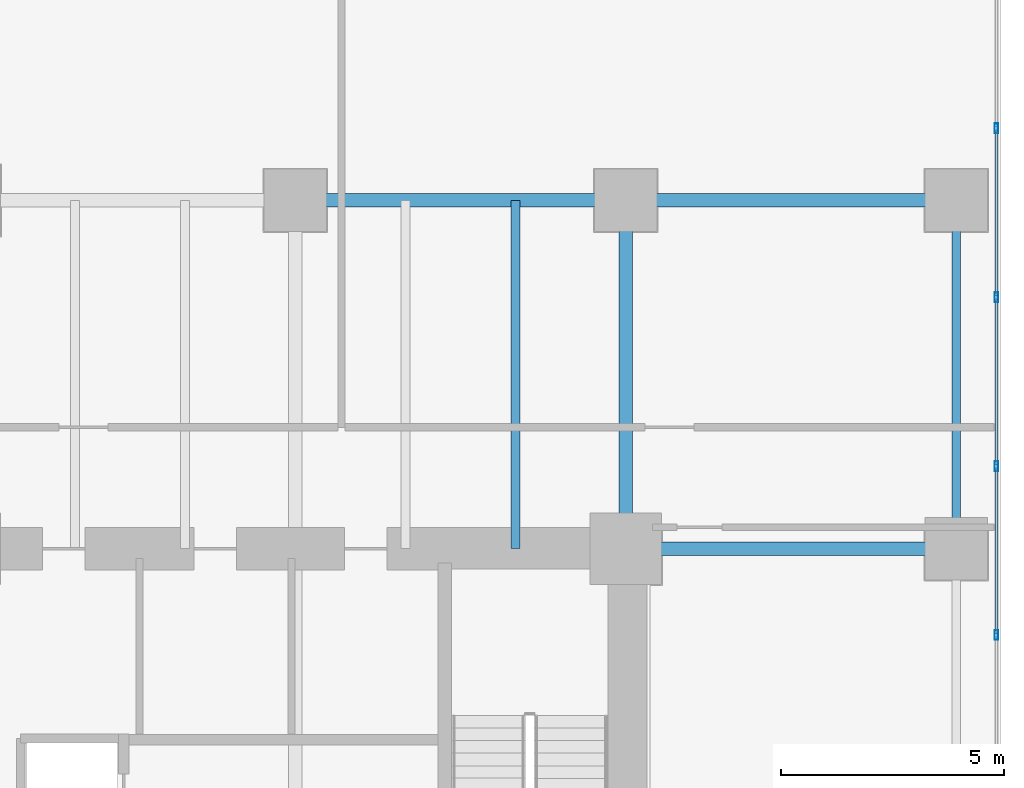
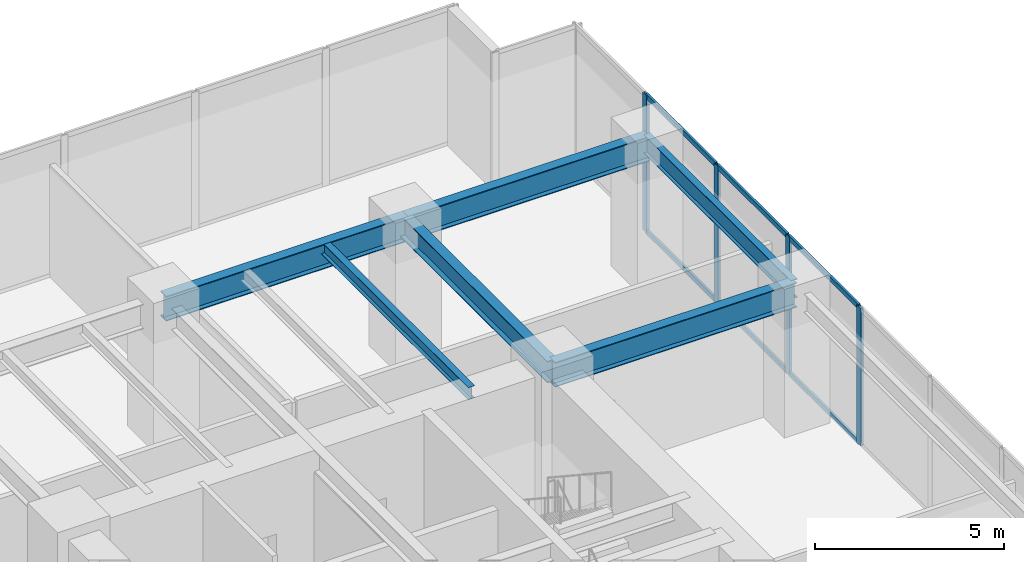
# One storey, part 21 of 33: 10 members, 6 beams, 1 element without a shape of its own.
"""IFC4 building model written with IfcOpenShell, lengths in metres."""

import ifcopenshell
import ifcopenshell.guid

model = None  # the IFC model being written
_history = None  # IfcOwnerHistory: only IFC2X3 demands one
_inside = {}  # id of a spatial element -> (the spatial element, [elements in it])
_under = {}  # id of a project, library or spatial element -> (it, [spatial elements below it])
_declared = {}  # id of a project -> (the project, [libraries it declares])
_typed = {}  # id of a type object -> (the type object, [elements of that type])
_made_of = {}  # id of a material, layer set ... -> (it, [elements and type objects made of it])


def new_model(schema):
    """Start an empty IFC model of exactly this schema.

    Asked for "IFC4X3", IfcOpenShell would pick the latest addendum, in which some entities
    have other attributes; the version numbers below select the first issue.
    IFC2X3 requires an IfcOwnerHistory on every rooted entity: one is made here for all.
    """
    global model, _history
    if schema == "IFC4X3":
        model = ifcopenshell.file(schema_version=(4, 3, 0, 0))
    else:
        model = ifcopenshell.file(schema=schema)
    _inside.clear()
    _under.clear()
    _declared.clear()
    _typed.clear()
    _made_of.clear()
    _history = None
    if model.schema == "IFC2X3":
        org = make("IfcOrganization", Name="unknown")
        user = make(
            "IfcPersonAndOrganization",
            ThePerson=make("IfcPerson", FamilyName="unknown"),
            TheOrganization=org,
        )
        app = make(
            "IfcApplication",
            ApplicationDeveloper=org,
            Version="unknown",
            ApplicationFullName="unknown",
            ApplicationIdentifier="unknown",
        )
        _history = make(
            "IfcOwnerHistory",
            OwningUser=user,
            OwningApplication=app,
            ChangeAction="ADDED",
            CreationDate=0,
        )
    return model


def make(cls, **values):
    """One entity of the class cls with the attributes given. An attribute that is None is left unset."""
    return model.create_entity(
        cls, **{name: value for name, value in values.items() if value is not None}
    )


def rooted(cls, **values):
    """An entity with a GlobalId (a new one), such as an element, a storey or a relation."""
    return make(cls, GlobalId=ifcopenshell.guid.new(), OwnerHistory=_history, **values)


def si_unit(unit_type, name, prefix=None):
    """IfcSIUnit, for example si_unit("LENGTHUNIT", "METRE", prefix="MILLI")."""
    return make("IfcSIUnit", UnitType=unit_type, Prefix=prefix, Name=name)


def assignment(units):
    """IfcUnitAssignment: the units of a project."""
    return None if units is None else make("IfcUnitAssignment", Units=units)


def point(xyz):
    """IfcCartesianPoint."""
    return None if xyz is None else make("IfcCartesianPoint", Coordinates=xyz)


def direction(xyz):
    """IfcDirection."""
    return None if xyz is None else make("IfcDirection", DirectionRatios=xyz)


def frame(location, z_axis=None, x_axis=None):
    """IfcAxis2Placement3D, a coordinate frame: its origin and axes. An axis left out is left unset."""
    return make(
        "IfcAxis2Placement3D",
        Location=point(location),
        Axis=direction(z_axis),
        RefDirection=direction(x_axis),
    )


def frame_2d(location, x_axis=None):
    """IfcAxis2Placement2D, a coordinate frame in the plane: its origin and x axis."""
    return make(
        "IfcAxis2Placement2D", Location=point(location), RefDirection=direction(x_axis)
    )


def origin():
    """The frame at (0, 0, 0) with its axes left unset."""
    return frame((0.0, 0.0, 0.0))


def origin_2d():
    """The frame at (0, 0) in the plane with its x axis left unset."""
    return frame_2d((0.0, 0.0))


def place(relative_to, where):
    """IfcLocalPlacement: puts the frame where relative to a parent placement (None: the world)."""
    return make(
        "IfcLocalPlacement", PlacementRelTo=relative_to, RelativePlacement=where
    )


def context(
    kind, dimensions, precision=None, world=None, true_north=None, identifier=None
):
    """IfcGeometricRepresentationContext, for example the 3D "Model" context."""
    return make(
        "IfcGeometricRepresentationContext",
        ContextIdentifier=identifier,
        ContextType=kind,
        CoordinateSpaceDimension=dimensions,
        Precision=precision,
        WorldCoordinateSystem=world,
        TrueNorth=true_north,
    )


def subcontext(parent, identifier, kind, view, scale=None):
    """IfcGeometricRepresentationSubContext, for example "Body" below "Model"."""
    return make(
        "IfcGeometricRepresentationSubContext",
        ContextIdentifier=identifier,
        ContextType=kind,
        ParentContext=parent,
        TargetScale=scale,
        TargetView=view,
    )


def project(units=None, contexts=None):
    """IfcProject with its units and contexts."""
    return rooted(
        "IfcProject",
        Name="project",
        RepresentationContexts=contexts,
        UnitsInContext=assignment(units),
    )


def spatial(cls, under=None, at=None, **own):
    """A site, building, storey or space (cls), placed at a placement, below another one or the project."""
    s = rooted(cls, ObjectPlacement=at, **own)
    if under is not None:
        _under.setdefault(under.id(), (under, []))[1].append(s)
    return s


def profile(cls, at=None, kind="AREA", **sizes):
    """A parametric profile (cls). Its sizes go by their IFC names, for example OverallWidth=200.0."""
    return make(cls, ProfileType=kind, Position=at, **sizes)


def hollow_rectangle(**sizes):
    """IfcRectangleHollowProfileDef."""
    return profile("IfcRectangleHollowProfileDef", **sizes)


def i_section(**sizes):
    """IfcIShapeProfileDef."""
    return profile("IfcIShapeProfileDef", **sizes)


def extrude(swept, where, along, depth):
    """IfcExtrudedAreaSolid: the profile swept, set in the frame where, extruded along a direction by depth."""
    return make(
        "IfcExtrudedAreaSolid",
        SweptArea=swept,
        Position=where,
        ExtrudedDirection=direction(along),
        Depth=depth,
    )


def shape(context_of_items, identifier, shape_type, items):
    """IfcShapeRepresentation: the items that make up one representation, for example the "Body"."""
    return make(
        "IfcShapeRepresentation",
        ContextOfItems=context_of_items,
        RepresentationIdentifier=identifier,
        RepresentationType=shape_type,
        Items=items,
    )


def source(mapping_origin, context_of_items, identifier, shape_type, items):
    """IfcRepresentationMap: a shape defined once, which mapped items show again and again."""
    return make(
        "IfcRepresentationMap",
        MappingOrigin=mapping_origin,
        MappedRepresentation=shape(context_of_items, identifier, shape_type, items),
    )


def transform(
    local_origin,
    x_axis=None,
    y_axis=None,
    z_axis=None,
    scale=None,
    scale2=None,
    scale3=None,
    uniform=True,
):
    """IfcCartesianTransformationOperator3D, or its non-uniform kind. x_axis, y_axis, z_axis: its Axis1, 2, 3."""
    if uniform:
        return make(
            "IfcCartesianTransformationOperator3D",
            Axis1=direction(x_axis),
            Axis2=direction(y_axis),
            LocalOrigin=point(local_origin),
            Scale=scale,
            Axis3=direction(z_axis),
        )
    return make(
        "IfcCartesianTransformationOperator3DnonUniform",
        Axis1=direction(x_axis),
        Axis2=direction(y_axis),
        LocalOrigin=point(local_origin),
        Scale=scale,
        Axis3=direction(z_axis),
        Scale2=scale2,
        Scale3=scale3,
    )


def mapped(mapping_source, mapping_target):
    """IfcMappedItem: shows the shape of a source again, moved by a transform."""
    return make(
        "IfcMappedItem", MappingSource=mapping_source, MappingTarget=mapping_target
    )


def material(Name=None, Category=None):
    """IfcMaterial."""
    return make("IfcMaterial", Name=Name, Category=Category)


def layer(
    of_material, thickness, ventilated=None, Name=None, Category=None, Priority=None
):
    """IfcMaterialLayer: one layer of a wall or slab, of a material (None: an air gap)."""
    return make(
        "IfcMaterialLayer",
        Material=of_material,
        LayerThickness=thickness,
        IsVentilated=ventilated,
        Name=Name,
        Category=Category,
        Priority=Priority,
    )


def layer_set(layers, Name=None):
    """IfcMaterialLayerSet."""
    return make("IfcMaterialLayerSet", MaterialLayers=layers, LayerSetName=Name)


def material_profile(
    of_material, cross_section, Name=None, Category=None, Priority=None
):
    """IfcMaterialProfile: a cross section and its material."""
    return make(
        "IfcMaterialProfile",
        Name=Name,
        Material=of_material,
        Profile=cross_section,
        Priority=Priority,
        Category=Category,
    )


def profile_set(profiles, Name=None, composite=None):
    """IfcMaterialProfileSet."""
    return make(
        "IfcMaterialProfileSet",
        Name=Name,
        MaterialProfiles=profiles,
        CompositeProfile=composite,
    )


def made_of(thing, what):
    """Note that an element or type object is made of a material, layer set ...; save() writes the relation."""
    if what is not None:
        _made_of.setdefault(what.id(), (what, []))[1].append(thing)
    return thing


def type_object(cls, material=None, **own):
    """A type object (cls), such as IfcWallType, which elements share."""
    return made_of(rooted(cls, **own), material)


def type_shapes(of_type, sources):
    """Give a type object the sources (RepresentationMaps) that its elements show as mapped items."""
    of_type.RepresentationMaps = sources


def element(
    cls,
    number,
    at=None,
    inside=None,
    cuts=None,
    type_object=None,
    material=None,
    context=None,
    identifier="Body",
    shape_type=None,
    held_by="IfcProductDefinitionShape",
    body=None,
    shapes=None,
    **own,
):
    """One element of the class cls, such as IfcWall. Its Tag is "e" and its number.

    at: its placement. inside: the storey or other place that contains it. cuts: it is an
    opening in that element (IfcRelVoidsElement). A single representation is given by context,
    identifier, shape_type and body (its items); several are given by shapes. held_by: the class
    of the entity that holds the representations. save() writes the other relations.
    """
    e = rooted(cls, Tag="e%d" % number, ObjectPlacement=at, **own)
    if body is not None:
        shapes = [shape(context, identifier, shape_type, body)]
    if shapes is not None:
        e.Representation = make(held_by, Representations=shapes)
    if inside is not None:
        _inside.setdefault(inside.id(), (inside, []))[1].append(e)
    if cuts is not None:
        rooted(
            "IfcRelVoidsElement", RelatingBuildingElement=cuts, RelatedOpeningElement=e
        )
    if type_object is not None:
        _typed.setdefault(type_object.id(), (type_object, []))[1].append(e)
    return made_of(e, material)


def aggregate(whole, parts):
    """IfcRelAggregates: a whole, such as a stair, and the parts it consists of."""
    return rooted("IfcRelAggregates", RelatingObject=whole, RelatedObjects=parts)


def save(model, path):
    """Write the relations noted so far, then the file.

    IfcRelAggregates (storeys below a building ...), IfcRelContainedInSpatialStructure (elements
    in a storey), IfcRelDefinesByType, IfcRelAssociatesMaterial and IfcRelDeclares: one each for
    every whole, place, type object, material and project.
    """
    for whole, parts in _under.values():
        aggregate(whole, parts)
    for where, things in _inside.values():
        rooted(
            "IfcRelContainedInSpatialStructure",
            RelatedElements=things,
            RelatingStructure=where,
        )
    for kind, things in _typed.values():
        rooted("IfcRelDefinesByType", RelatedObjects=things, RelatingType=kind)
    for what, things in _made_of.values():
        rooted("IfcRelAssociatesMaterial", RelatedObjects=things, RelatingMaterial=what)
    for by, libraries in _declared.values():
        rooted("IfcRelDeclares", RelatingContext=by, RelatedDefinitions=libraries)
    model.write(path)


model = new_model("IFC4")

# Units and contexts
model_context = context("Model", 3, precision=1e-05, world=origin(), true_north=direction((0.0, 1.0)))
body_context = subcontext(model_context, "Body", "Model", "MODEL_VIEW")
ifc_project = project(units=[si_unit("LENGTHUNIT", "METRE"), si_unit("AREAUNIT", "SQUARE_METRE"), si_unit("VOLUMEUNIT", "CUBIC_METRE"), si_unit("PLANEANGLEUNIT", "RADIAN"), si_unit("MASSUNIT", "GRAM", prefix="KILO")], contexts=[model_context])

# Site, building, storey
site_placement = place(None, origin())
site = spatial("IfcSite", under=ifc_project, at=site_placement, CompositionType="ELEMENT")
building_placement = place(site_placement, origin())
building = spatial("IfcBuilding", under=site, at=building_placement, Name="Haelvirn Gate Laboratories", CompositionType="ELEMENT")
storey_placement = place(building_placement, frame((0.0, 0.0, 10.199951171875)))
storey = spatial("IfcBuildingStorey", under=building, at=storey_placement, Name="L03", CompositionType="ELEMENT", Elevation=10.199951171875)

# Beams
ifc_material_1 = material(Name="Steel SM420", Category="steel")
ifc_material_profile_1 = material_profile(ifc_material_1, i_section(OverallWidth=0.300048828125, OverallDepth=0.800048828125, WebThickness=0.013916015625, FlangeThickness=0.02587890625, at=origin_2d()), Name="H-800x300x14x26")
ifc_profile_set_1 = profile_set([ifc_material_profile_1], Name="Steel SM420")
beam_type_1 = type_object("IfcBeamType", Name="BM-G-800", PredefinedType="BEAM", material=ifc_profile_set_1)
shared_shape_1 = source(origin(), body_context, "Body", "SweptSolid", [
    extrude(i_section(OverallWidth=0.300048828125, OverallDepth=0.800048828125, WebThickness=0.013916015625, FlangeThickness=0.02587890625, at=origin_2d()), origin(), (0.0, 0.0, 1.0), 7.400146484375),
])
for number, where, z_axis, x_axis, name in (
    (1, (67.39990234375, 33.800048828125, 4.050048828125), (1.0, 0.0, 0.0), (0.0, 1.0, 0.0), "L03 Primary Girder Y33.8 (67.4-74.8)"),
    (2, (67.39990234375, 41.60009765625, 4.050048828125), (1.0, 0.0, 0.0), (0.0, 1.0, 0.0), "L03 Primary Girder Y41.6 (67.4-74.8)"),
):
    element("IfcBeam", number, at=place(storey_placement, frame(where, z_axis=z_axis, x_axis=x_axis)), inside=storey, type_object=beam_type_1, Name=name, PredefinedType="BEAM", context=body_context, shape_type="MappedRepresentation", body=[
        mapped(shared_shape_1, transform((0.0, 0.0, 0.0), scale=1.0)),
    ])
shared_shape_2 = source(origin(), body_context, "Body", "SweptSolid", [
    extrude(i_section(OverallWidth=0.300048828125, OverallDepth=0.800048828125, WebThickness=0.013916015625, FlangeThickness=0.02587890625, at=origin_2d()), origin(), (0.0, 0.0, 1.0), 7.39990234375),
])
type_shapes(beam_type_1, [shared_shape_1, shared_shape_2])
beam_1_placement = place(storey_placement, frame((60.0, 41.60009765625, 4.050048828125), z_axis=(1.0, 0.0, 0.0), x_axis=(0.0, 1.0, 0.0)))
element("IfcBeam", 3, at=beam_1_placement, inside=storey, type_object=beam_type_1, Name="L03 Primary Girder Y41.6 (60.0-67.4)", PredefinedType="BEAM", context=body_context, shape_type="MappedRepresentation", body=[
    mapped(shared_shape_2, transform((0.0, 0.0, 0.0), scale=1.0)),
])
ifc_material_2 = material(Name="Steel SM355", Category="steel")
ifc_material_profile_2 = material_profile(ifc_material_2, i_section(OverallWidth=0.199951171875, OverallDepth=0.60009765625, WebThickness=0.010986328125, FlangeThickness=0.01708984375, at=origin_2d()), Name="H-600x200x11x17")
ifc_profile_set_2 = profile_set([ifc_material_profile_2], Name="Steel SM355")
beam_type_2 = type_object("IfcBeamType", Name="BM-SP-600", PredefinedType="SPANDREL", material=ifc_profile_set_2)
shared_shape_3 = source(origin(), body_context, "Body", "SweptSolid", [
    extrude(i_section(OverallWidth=0.199951171875, OverallDepth=0.60009765625, WebThickness=0.010986328125, FlangeThickness=0.01708984375, at=origin_2d()), origin(), (0.0, 0.0, 1.0), 7.800048828125),
])
type_shapes(beam_type_2, [shared_shape_3])
beam_2_placement = place(storey_placement, frame((74.800048828125, 33.800048828125, 4.150146484375), z_axis=(0.0, 1.0, 0.0), x_axis=(-1.0, 0.0, 0.0)))
element("IfcBeam", 4, at=beam_2_placement, inside=storey, type_object=beam_type_2, Name="L03 Perimeter Spandrel X74.8 (33.8-41.6)", PredefinedType="SPANDREL", context=body_context, shape_type="MappedRepresentation", body=[
    mapped(shared_shape_3, transform((0.0, 0.0, 0.0), scale=1.0)),
])
ifc_material_profile_3 = material_profile(ifc_material_2, i_section(OverallWidth=0.199951171875, OverallDepth=0.39990234375, WebThickness=0.008056640625, FlangeThickness=0.012939453125, at=origin_2d()), Name="H-400x200x8x13")
ifc_profile_set_3 = profile_set([ifc_material_profile_3], Name="Steel SM355")
beam_type_3 = type_object("IfcBeamType", Name="BM-J-400", PredefinedType="JOIST", material=ifc_profile_set_3)
shared_shape_4 = source(origin(), body_context, "Body", "SweptSolid", [
    extrude(i_section(OverallWidth=0.199951171875, OverallDepth=0.39990234375, WebThickness=0.008056640625, FlangeThickness=0.012939453125, at=origin_2d()), origin(), (0.0, 0.0, 1.0), 7.800048828125),
])
type_shapes(beam_type_3, [shared_shape_4])
beam_3_placement = place(storey_placement, frame((64.929931640625, 33.800048828125, 4.25), z_axis=(0.0, 1.0, 0.0), x_axis=(-1.0, 0.0, 0.0)))
element("IfcBeam", 5, at=beam_3_placement, inside=storey, type_object=beam_type_3, Name="L03 Composite Lab Joist North X64.93", PredefinedType="JOIST", context=body_context, shape_type="MappedRepresentation", body=[
    mapped(shared_shape_4, transform((0.0, 0.0, 0.0), scale=1.0)),
])
ifc_material_profile_4 = material_profile(ifc_material_2, i_section(OverallWidth=0.300048828125, OverallDepth=0.699951171875, WebThickness=0.012939453125, FlangeThickness=0.02392578125, at=origin_2d()), Name="H-700x300x13x24")
ifc_profile_set_4 = profile_set([ifc_material_profile_4], Name="Steel SM355")
beam_type_4 = type_object("IfcBeamType", Name="BM-G-700", PredefinedType="BEAM", material=ifc_profile_set_4)
shared_shape_5 = source(origin(), body_context, "Body", "SweptSolid", [
    extrude(i_section(OverallWidth=0.300048828125, OverallDepth=0.699951171875, WebThickness=0.012939453125, FlangeThickness=0.02392578125, at=origin_2d()), origin(), (0.0, 0.0, 1.0), 7.800048828125),
])
type_shapes(beam_type_4, [shared_shape_5])
beam_4_placement = place(storey_placement, frame((67.39990234375, 33.800048828125, 4.10009765625), z_axis=(0.0, 1.0, 0.0), x_axis=(-1.0, 0.0, 0.0)))
element("IfcBeam", 6, at=beam_4_placement, inside=storey, type_object=beam_type_4, Name="L03 Frame Girder X67.4 (33.8-41.6)", PredefinedType="BEAM", context=body_context, shape_type="MappedRepresentation", body=[
    mapped(shared_shape_5, transform((0.0, 0.0, 0.0), scale=1.0)),
])

# Curtain wall, members
ifc_material_3 = material(Name="Anodised bronze unitised aluminium & triple low-E glass", Category="aluminium")
ifc_layer = layer(ifc_material_3, 0.18798828125, Name="CW-SYS-1")
ifc_layer_set = layer_set([ifc_layer], Name="Anodised bronze unitised aluminium & triple low-E glass")
curtain_wall_type = type_object("IfcCurtainWallType", Name="CW-SYS-1", PredefinedType="NOTDEFINED", material=ifc_layer_set)
curtain_wall_placement = place(storey_placement, origin())
curtain_wall = element("IfcCurtainWall", 7, at=curtain_wall_placement, inside=storey, type_object=curtain_wall_type, Name="L03 Unitised Curtain Wall CW-L03-P1-E03", PredefinedType="NOTDEFINED")
ifc_material_4 = material(Name="Extruded aluminium 6063-T6 (anodised bronze)", Category="aluminium")
ifc_material_profile_5 = material_profile(ifc_material_4, hollow_rectangle(XDim=0.070068359375, YDim=0.159912109375, WallThickness=0.0048828125, at=origin_2d()), Name="CWT-160x70x5")
ifc_profile_set_5 = profile_set([ifc_material_profile_5], Name="Extruded aluminium 6063-T6 (anodised bronze)")
member_type_1 = type_object("IfcMemberType", Name="CWT-T160", PredefinedType="USERDEFINED", material=ifc_profile_set_5)
shared_shape_6 = source(origin(), body_context, "Body", "SweptSolid", [
    extrude(hollow_rectangle(XDim=0.070068359375, YDim=0.159912109375, WallThickness=0.0048828125, at=origin_2d()), origin(), (0.0, 0.0, 1.0), 3.703369140625),
])
type_shapes(member_type_1, [shared_shape_6])
member_1_placement = place(storey_placement, frame((75.699951171875, 31.90673828125, 0.03515625), z_axis=(0.0, 1.0, 0.0), x_axis=(-1.0, 0.0, 0.0)))
member_1 = element("IfcMember", 8, at=member_1_placement, type_object=member_type_1, Name="CW1 transom 9.1", ObjectType="TRANSOM", PredefinedType="USERDEFINED", context=body_context, shape_type="MappedRepresentation", body=[
    mapped(shared_shape_6, transform((0.0, 0.0, 0.0), scale=1.0)),
])
member_2_placement = place(storey_placement, frame((75.699951171875, 31.90673828125, 4.4150390625), z_axis=(0.0, 1.0, 0.0), x_axis=(-1.0, 0.0, 0.0)))
member_2 = element("IfcMember", 9, at=member_2_placement, type_object=member_type_1, Name="CW1 transom 9.2", ObjectType="TRANSOM", PredefinedType="USERDEFINED", context=body_context, shape_type="MappedRepresentation", body=[
    mapped(shared_shape_6, transform((0.0, 0.0, 0.0), scale=1.0)),
])
member_3_placement = place(storey_placement, frame((75.699951171875, 35.68994140625, 0.03515625), z_axis=(0.0, 1.0, 0.0), x_axis=(-1.0, 0.0, 0.0)))
member_3 = element("IfcMember", 10, at=member_3_placement, type_object=member_type_1, Name="CW1 transom 10.1", ObjectType="TRANSOM", PredefinedType="USERDEFINED", context=body_context, shape_type="MappedRepresentation", body=[
    mapped(shared_shape_6, transform((0.0, 0.0, 0.0), scale=1.0)),
])
member_4_placement = place(storey_placement, frame((75.699951171875, 35.68994140625, 4.4150390625), z_axis=(0.0, 1.0, 0.0), x_axis=(-1.0, 0.0, 0.0)))
member_4 = element("IfcMember", 11, at=member_4_placement, type_object=member_type_1, Name="CW1 transom 10.2", ObjectType="TRANSOM", PredefinedType="USERDEFINED", context=body_context, shape_type="MappedRepresentation", body=[
    mapped(shared_shape_6, transform((0.0, 0.0, 0.0), scale=1.0)),
])
member_5_placement = place(storey_placement, frame((75.699951171875, 39.473388671875, 0.03515625), z_axis=(0.0, 1.0, 0.0), x_axis=(-1.0, 0.0, 0.0)))
member_5 = element("IfcMember", 12, at=member_5_placement, type_object=member_type_1, Name="CW1 transom 11.1", ObjectType="TRANSOM", PredefinedType="USERDEFINED", context=body_context, shape_type="MappedRepresentation", body=[
    mapped(shared_shape_6, transform((0.0, 0.0, 0.0), scale=1.0)),
])
member_6_placement = place(storey_placement, frame((75.699951171875, 39.473388671875, 4.4150390625), z_axis=(0.0, 1.0, 0.0), x_axis=(-1.0, 0.0, 0.0)))
member_6 = element("IfcMember", 13, at=member_6_placement, type_object=member_type_1, Name="CW1 transom 11.2", ObjectType="TRANSOM", PredefinedType="USERDEFINED", context=body_context, shape_type="MappedRepresentation", body=[
    mapped(shared_shape_6, transform((0.0, 0.0, 0.0), scale=1.0)),
])
ifc_material_profile_6 = material_profile(ifc_material_4, hollow_rectangle(XDim=0.080078125, YDim=0.219970703125, WallThickness=0.006103515625, at=origin_2d()), Name="CWM-220x80x6")
ifc_profile_set_6 = profile_set([ifc_material_profile_6], Name="Extruded aluminium 6063-T6 (anodised bronze)")
member_type_2 = type_object("IfcMemberType", Name="CWM-T220", PredefinedType="MULLION", material=ifc_profile_set_6)
shared_shape_7 = source(origin(), body_context, "Body", "SweptSolid", [
    extrude(hollow_rectangle(XDim=0.080078125, YDim=0.219970703125, WallThickness=0.006103515625, at=origin_2d()), origin(), (0.0, 0.0, 1.0), 4.449951171875),
])
type_shapes(member_type_2, [shared_shape_7])
member_7_placement = place(storey_placement, frame((75.699951171875, 31.86669921875, 0.0), z_axis=(0.0, 0.0, 1.0), x_axis=(-1.0, 0.0, 0.0)))
member_7 = element("IfcMember", 14, at=member_7_placement, type_object=member_type_2, Name="CW1 mullion 9", PredefinedType="MULLION", context=body_context, shape_type="MappedRepresentation", body=[
    mapped(shared_shape_7, transform((0.0, 0.0, 0.0), scale=1.0)),
])
member_8_placement = place(storey_placement, frame((75.699951171875, 35.64990234375, 0.0), z_axis=(0.0, 0.0, 1.0), x_axis=(-1.0, 0.0, 0.0)))
member_8 = element("IfcMember", 15, at=member_8_placement, type_object=member_type_2, Name="CW1 mullion 10", PredefinedType="MULLION", context=body_context, shape_type="MappedRepresentation", body=[
    mapped(shared_shape_7, transform((0.0, 0.0, 0.0), scale=1.0)),
])
member_9_placement = place(storey_placement, frame((75.699951171875, 39.433349609375, 0.0), z_axis=(0.0, 0.0, 1.0), x_axis=(-1.0, 0.0, 0.0)))
member_9 = element("IfcMember", 16, at=member_9_placement, type_object=member_type_2, Name="CW1 mullion 11", PredefinedType="MULLION", context=body_context, shape_type="MappedRepresentation", body=[
    mapped(shared_shape_7, transform((0.0, 0.0, 0.0), scale=1.0)),
])
member_10_placement = place(storey_placement, frame((75.699951171875, 43.216552734375, 0.0), z_axis=(0.0, 0.0, 1.0), x_axis=(-1.0, 0.0, 0.0)))
member_10 = element("IfcMember", 17, at=member_10_placement, type_object=member_type_2, Name="CW1 mullion 12", PredefinedType="MULLION", context=body_context, shape_type="MappedRepresentation", body=[
    mapped(shared_shape_7, transform((0.0, 0.0, 0.0), scale=1.0)),
])
aggregate(curtain_wall, [member_7, member_8, member_9, member_10, member_1, member_2, member_3, member_4, member_5, member_6])

save(model, "model.ifc")
